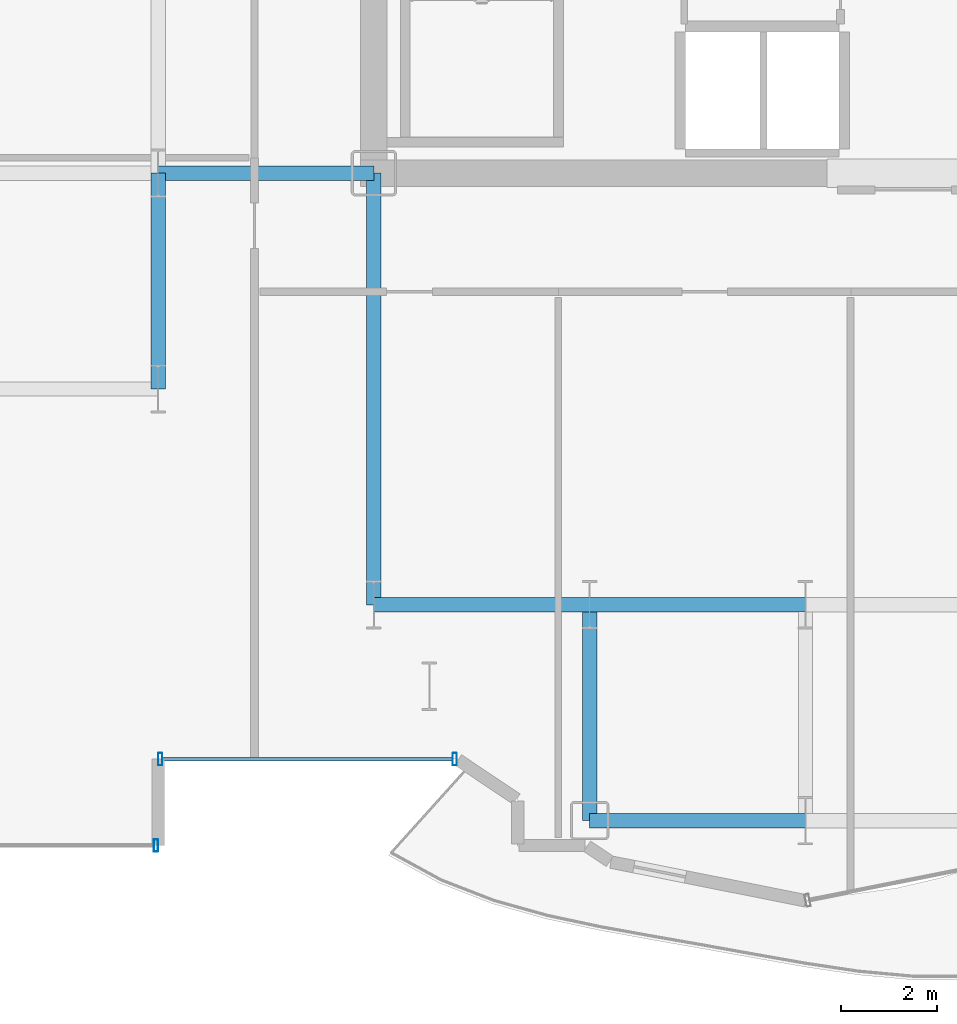
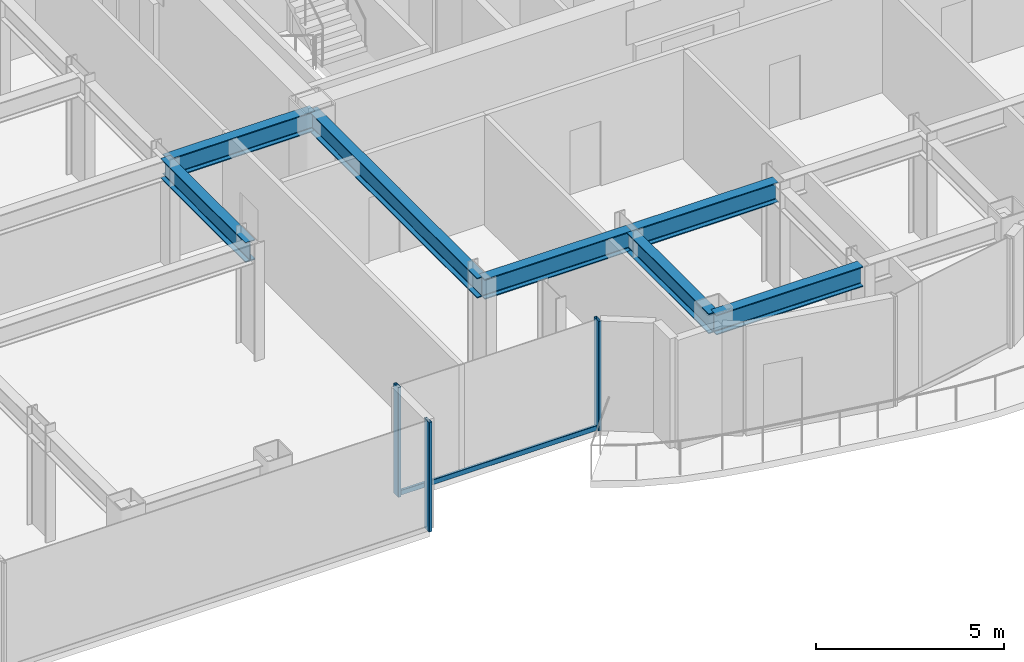
# One storey, part 4 of 29: 7 beams, 4 members, 2 elements without a shape of their own.
"""IFC4 building model written with IfcOpenShell, lengths in metres."""

import ifcopenshell
import ifcopenshell.guid

model = None  # the IFC model being written
_history = None  # IfcOwnerHistory: only IFC2X3 demands one
_inside = {}  # id of a spatial element -> (the spatial element, [elements in it])
_under = {}  # id of a project, library or spatial element -> (it, [spatial elements below it])
_declared = {}  # id of a project -> (the project, [libraries it declares])
_typed = {}  # id of a type object -> (the type object, [elements of that type])
_made_of = {}  # id of a material, layer set ... -> (it, [elements and type objects made of it])


def new_model(schema):
    """Start an empty IFC model of exactly this schema.

    Asked for "IFC4X3", IfcOpenShell would pick the latest addendum, in which some entities
    have other attributes; the version numbers below select the first issue.
    IFC2X3 requires an IfcOwnerHistory on every rooted entity: one is made here for all.
    """
    global model, _history
    if schema == "IFC4X3":
        model = ifcopenshell.file(schema_version=(4, 3, 0, 0))
    else:
        model = ifcopenshell.file(schema=schema)
    _inside.clear()
    _under.clear()
    _declared.clear()
    _typed.clear()
    _made_of.clear()
    _history = None
    if model.schema == "IFC2X3":
        org = make("IfcOrganization", Name="unknown")
        user = make(
            "IfcPersonAndOrganization",
            ThePerson=make("IfcPerson", FamilyName="unknown"),
            TheOrganization=org,
        )
        app = make(
            "IfcApplication",
            ApplicationDeveloper=org,
            Version="unknown",
            ApplicationFullName="unknown",
            ApplicationIdentifier="unknown",
        )
        _history = make(
            "IfcOwnerHistory",
            OwningUser=user,
            OwningApplication=app,
            ChangeAction="ADDED",
            CreationDate=0,
        )
    return model


def make(cls, **values):
    """One entity of the class cls with the attributes given. An attribute that is None is left unset."""
    return model.create_entity(
        cls, **{name: value for name, value in values.items() if value is not None}
    )


def rooted(cls, **values):
    """An entity with a GlobalId (a new one), such as an element, a storey or a relation."""
    return make(cls, GlobalId=ifcopenshell.guid.new(), OwnerHistory=_history, **values)


def si_unit(unit_type, name, prefix=None):
    """IfcSIUnit, for example si_unit("LENGTHUNIT", "METRE", prefix="MILLI")."""
    return make("IfcSIUnit", UnitType=unit_type, Prefix=prefix, Name=name)


def assignment(units):
    """IfcUnitAssignment: the units of a project."""
    return None if units is None else make("IfcUnitAssignment", Units=units)


def point(xyz):
    """IfcCartesianPoint."""
    return None if xyz is None else make("IfcCartesianPoint", Coordinates=xyz)


def direction(xyz):
    """IfcDirection."""
    return None if xyz is None else make("IfcDirection", DirectionRatios=xyz)


def frame(location, z_axis=None, x_axis=None):
    """IfcAxis2Placement3D, a coordinate frame: its origin and axes. An axis left out is left unset."""
    return make(
        "IfcAxis2Placement3D",
        Location=point(location),
        Axis=direction(z_axis),
        RefDirection=direction(x_axis),
    )


def frame_2d(location, x_axis=None):
    """IfcAxis2Placement2D, a coordinate frame in the plane: its origin and x axis."""
    return make(
        "IfcAxis2Placement2D", Location=point(location), RefDirection=direction(x_axis)
    )


def origin():
    """The frame at (0, 0, 0) with its axes left unset."""
    return frame((0.0, 0.0, 0.0))


def origin_2d():
    """The frame at (0, 0) in the plane with its x axis left unset."""
    return frame_2d((0.0, 0.0))


def place(relative_to, where):
    """IfcLocalPlacement: puts the frame where relative to a parent placement (None: the world)."""
    return make(
        "IfcLocalPlacement", PlacementRelTo=relative_to, RelativePlacement=where
    )


def context(
    kind, dimensions, precision=None, world=None, true_north=None, identifier=None
):
    """IfcGeometricRepresentationContext, for example the 3D "Model" context."""
    return make(
        "IfcGeometricRepresentationContext",
        ContextIdentifier=identifier,
        ContextType=kind,
        CoordinateSpaceDimension=dimensions,
        Precision=precision,
        WorldCoordinateSystem=world,
        TrueNorth=true_north,
    )


def subcontext(parent, identifier, kind, view, scale=None):
    """IfcGeometricRepresentationSubContext, for example "Body" below "Model"."""
    return make(
        "IfcGeometricRepresentationSubContext",
        ContextIdentifier=identifier,
        ContextType=kind,
        ParentContext=parent,
        TargetScale=scale,
        TargetView=view,
    )


def project(units=None, contexts=None):
    """IfcProject with its units and contexts."""
    return rooted(
        "IfcProject",
        Name="project",
        RepresentationContexts=contexts,
        UnitsInContext=assignment(units),
    )


def spatial(cls, under=None, at=None, **own):
    """A site, building, storey or space (cls), placed at a placement, below another one or the project."""
    s = rooted(cls, ObjectPlacement=at, **own)
    if under is not None:
        _under.setdefault(under.id(), (under, []))[1].append(s)
    return s


def profile(cls, at=None, kind="AREA", **sizes):
    """A parametric profile (cls). Its sizes go by their IFC names, for example OverallWidth=200.0."""
    return make(cls, ProfileType=kind, Position=at, **sizes)


def hollow_rectangle(**sizes):
    """IfcRectangleHollowProfileDef."""
    return profile("IfcRectangleHollowProfileDef", **sizes)


def i_section(**sizes):
    """IfcIShapeProfileDef."""
    return profile("IfcIShapeProfileDef", **sizes)


def extrude(swept, where, along, depth):
    """IfcExtrudedAreaSolid: the profile swept, set in the frame where, extruded along a direction by depth."""
    return make(
        "IfcExtrudedAreaSolid",
        SweptArea=swept,
        Position=where,
        ExtrudedDirection=direction(along),
        Depth=depth,
    )


def shape(context_of_items, identifier, shape_type, items):
    """IfcShapeRepresentation: the items that make up one representation, for example the "Body"."""
    return make(
        "IfcShapeRepresentation",
        ContextOfItems=context_of_items,
        RepresentationIdentifier=identifier,
        RepresentationType=shape_type,
        Items=items,
    )


def source(mapping_origin, context_of_items, identifier, shape_type, items):
    """IfcRepresentationMap: a shape defined once, which mapped items show again and again."""
    return make(
        "IfcRepresentationMap",
        MappingOrigin=mapping_origin,
        MappedRepresentation=shape(context_of_items, identifier, shape_type, items),
    )


def transform(
    local_origin,
    x_axis=None,
    y_axis=None,
    z_axis=None,
    scale=None,
    scale2=None,
    scale3=None,
    uniform=True,
):
    """IfcCartesianTransformationOperator3D, or its non-uniform kind. x_axis, y_axis, z_axis: its Axis1, 2, 3."""
    if uniform:
        return make(
            "IfcCartesianTransformationOperator3D",
            Axis1=direction(x_axis),
            Axis2=direction(y_axis),
            LocalOrigin=point(local_origin),
            Scale=scale,
            Axis3=direction(z_axis),
        )
    return make(
        "IfcCartesianTransformationOperator3DnonUniform",
        Axis1=direction(x_axis),
        Axis2=direction(y_axis),
        LocalOrigin=point(local_origin),
        Scale=scale,
        Axis3=direction(z_axis),
        Scale2=scale2,
        Scale3=scale3,
    )


def mapped(mapping_source, mapping_target):
    """IfcMappedItem: shows the shape of a source again, moved by a transform."""
    return make(
        "IfcMappedItem", MappingSource=mapping_source, MappingTarget=mapping_target
    )


def material(Name=None, Category=None):
    """IfcMaterial."""
    return make("IfcMaterial", Name=Name, Category=Category)


def layer(
    of_material, thickness, ventilated=None, Name=None, Category=None, Priority=None
):
    """IfcMaterialLayer: one layer of a wall or slab, of a material (None: an air gap)."""
    return make(
        "IfcMaterialLayer",
        Material=of_material,
        LayerThickness=thickness,
        IsVentilated=ventilated,
        Name=Name,
        Category=Category,
        Priority=Priority,
    )


def layer_set(layers, Name=None):
    """IfcMaterialLayerSet."""
    return make("IfcMaterialLayerSet", MaterialLayers=layers, LayerSetName=Name)


def material_profile(
    of_material, cross_section, Name=None, Category=None, Priority=None
):
    """IfcMaterialProfile: a cross section and its material."""
    return make(
        "IfcMaterialProfile",
        Name=Name,
        Material=of_material,
        Profile=cross_section,
        Priority=Priority,
        Category=Category,
    )


def profile_set(profiles, Name=None, composite=None):
    """IfcMaterialProfileSet."""
    return make(
        "IfcMaterialProfileSet",
        Name=Name,
        MaterialProfiles=profiles,
        CompositeProfile=composite,
    )


def made_of(thing, what):
    """Note that an element or type object is made of a material, layer set ...; save() writes the relation."""
    if what is not None:
        _made_of.setdefault(what.id(), (what, []))[1].append(thing)
    return thing


def type_object(cls, material=None, **own):
    """A type object (cls), such as IfcWallType, which elements share."""
    return made_of(rooted(cls, **own), material)


def element(
    cls,
    number,
    at=None,
    inside=None,
    cuts=None,
    type_object=None,
    material=None,
    context=None,
    identifier="Body",
    shape_type=None,
    held_by="IfcProductDefinitionShape",
    body=None,
    shapes=None,
    **own,
):
    """One element of the class cls, such as IfcWall. Its Tag is "e" and its number.

    at: its placement. inside: the storey or other place that contains it. cuts: it is an
    opening in that element (IfcRelVoidsElement). A single representation is given by context,
    identifier, shape_type and body (its items); several are given by shapes. held_by: the class
    of the entity that holds the representations. save() writes the other relations.
    """
    e = rooted(cls, Tag="e%d" % number, ObjectPlacement=at, **own)
    if body is not None:
        shapes = [shape(context, identifier, shape_type, body)]
    if shapes is not None:
        e.Representation = make(held_by, Representations=shapes)
    if inside is not None:
        _inside.setdefault(inside.id(), (inside, []))[1].append(e)
    if cuts is not None:
        rooted(
            "IfcRelVoidsElement", RelatingBuildingElement=cuts, RelatedOpeningElement=e
        )
    if type_object is not None:
        _typed.setdefault(type_object.id(), (type_object, []))[1].append(e)
    return made_of(e, material)


def aggregate(whole, parts):
    """IfcRelAggregates: a whole, such as a stair, and the parts it consists of."""
    return rooted("IfcRelAggregates", RelatingObject=whole, RelatedObjects=parts)


def save(model, path):
    """Write the relations noted so far, then the file.

    IfcRelAggregates (storeys below a building ...), IfcRelContainedInSpatialStructure (elements
    in a storey), IfcRelDefinesByType, IfcRelAssociatesMaterial and IfcRelDeclares: one each for
    every whole, place, type object, material and project.
    """
    for whole, parts in _under.values():
        aggregate(whole, parts)
    for where, things in _inside.values():
        rooted(
            "IfcRelContainedInSpatialStructure",
            RelatedElements=things,
            RelatingStructure=where,
        )
    for kind, things in _typed.values():
        rooted("IfcRelDefinesByType", RelatedObjects=things, RelatingType=kind)
    for what, things in _made_of.values():
        rooted("IfcRelAssociatesMaterial", RelatedObjects=things, RelatingMaterial=what)
    for by, libraries in _declared.values():
        rooted("IfcRelDeclares", RelatingContext=by, RelatedDefinitions=libraries)
    model.write(path)


model = new_model("IFC4")

# Units and contexts
model_context = context("Model", 3, precision=1e-05, world=origin(), true_north=direction((0.0, 1.0)))
body_context = subcontext(model_context, "Body", "Model", "MODEL_VIEW")
ifc_project = project(units=[si_unit("LENGTHUNIT", "METRE"), si_unit("AREAUNIT", "SQUARE_METRE"), si_unit("VOLUMEUNIT", "CUBIC_METRE"), si_unit("PLANEANGLEUNIT", "RADIAN"), si_unit("MASSUNIT", "GRAM", prefix="KILO")], contexts=[model_context])

# Site, building, storey
site_placement = place(None, origin())
site = spatial("IfcSite", under=ifc_project, at=site_placement, CompositionType="ELEMENT")
building_placement = place(site_placement, origin())
building = spatial("IfcBuilding", under=site, at=building_placement, Name="Nefas-Gora Pilgrimage Tower", CompositionType="ELEMENT")
storey_placement = place(building_placement, frame((0.0, 0.0, 125.0)))
storey = spatial("IfcBuildingStorey", under=building, at=storey_placement, Name="L30", CompositionType="ELEMENT", Elevation=125.0)

# Beams
ifc_material_1 = material(Name="Steel S355", Category="steel")
ifc_material_profile_1 = material_profile(ifc_material_1, i_section(OverallWidth=0.300048828125, OverallDepth=0.64990234375, WebThickness=0.01611328125, FlangeThickness=0.031005859375, FilletRadius=0.027099609375, at=origin_2d()), Name="HEB 650")
ifc_profile_set_1 = profile_set([ifc_material_profile_1], Name="Steel S355")
beam_type = type_object("IfcBeamType", Name="BM-GIR-HEB650", PredefinedType="BEAM", material=ifc_profile_set_1)
shared_shape_1 = source(origin(), body_context, "Body", "SweptSolid", [
    extrude(i_section(OverallWidth=0.300048828125, OverallDepth=0.64990234375, WebThickness=0.01611328125, FlangeThickness=0.031005859375, FilletRadius=0.027099609375, at=origin_2d()), origin(), (0.0, 0.0, 1.0), 9.0),
])
beam_placement = place(storey_placement, frame((-11.25, -18.0, 3.22509765625), z_axis=(0.0, 1.0, 0.0), x_axis=(-1.0, 0.0, 0.0)))
element("IfcBeam", 1, at=beam_placement, inside=storey, type_object=beam_type, Name="L30 G-03 beam", PredefinedType="BEAM", context=body_context, shape_type="MappedRepresentation", body=[
    mapped(shared_shape_1, transform((0.0, 0.0, 0.0), x_axis=(1.0, 0.0, 0.0), y_axis=(0.0, 1.0, 0.0), z_axis=(0.0, 0.0, 1.0), scale=1.0)),
])
shared_shape_2 = source(origin(), body_context, "Body", "SweptSolid", [
    extrude(i_section(OverallWidth=0.300048828125, OverallDepth=0.64990234375, WebThickness=0.01611328125, FlangeThickness=0.031005859375, FilletRadius=0.027099609375, at=origin_2d()), origin(), (0.0, 0.0, 1.0), 4.5),
])
for number, where, z_axis, x_axis, name in (
    (2, (-15.75, -13.5, 3.22509765625), (0.0, 1.0, 0.0), (-1.0, 0.0, 0.0), "L30 G-03 beam"),
    (3, (-15.75, -9.0, 3.22509765625), (1.0, 0.0, 0.0), (0.0, 1.0, 0.0), "L30 G-03 beam"),
    (4, (-11.25, -18.0, 3.22509765625), (1.0, 0.0, 0.0), (0.0, 1.0, 0.0), "L30 G-03 beam"),
    (5, (-6.75, -22.5, 3.22509765625), (0.0, 1.0, 0.0), (-1.0, 0.0, 0.0), "L30 G-03 beam"),
    (6, (-6.75, -22.5, 3.22509765625), (1.0, 0.0, 0.0), (0.0, 1.0, 0.0), "L30 G-03 beam"),
    (7, (-6.75, -18.0, 3.22509765625), (1.0, 0.0, 0.0), (0.0, 1.0, 0.0), "L30 G-03 beam"),
):
    element("IfcBeam", number, at=place(storey_placement, frame(where, z_axis=z_axis, x_axis=x_axis)), inside=storey, type_object=beam_type, Name=name, PredefinedType="BEAM", context=body_context, shape_type="MappedRepresentation", body=[
        mapped(shared_shape_2, transform((0.0, 0.0, 0.0), x_axis=(1.0, 0.0, 0.0), y_axis=(0.0, 1.0, 0.0), z_axis=(0.0, 0.0, 1.0), scale=1.0)),
    ])

# Curtain wall, members
ifc_material_2 = material(Name="Dark ceramic-fritted solar-control aluminium-glass curtain wall", Category="aluminium")
ifc_layer_1 = layer(ifc_material_2, 0.219970703125)
ifc_layer_set_1 = layer_set([ifc_layer_1], Name="Dark ceramic-fritted solar-control aluminium-glass curtain wall")
curtain_wall_type_1 = type_object("IfcCurtainWallType", Name="CW-SYS-5", PredefinedType="NOTDEFINED", material=ifc_layer_set_1)
curtain_wall_1_placement = place(storey_placement, origin())
curtain_wall_1 = element("IfcCurtainWall", 8, at=curtain_wall_1_placement, inside=storey, type_object=curtain_wall_type_1, Name="L30 Unitised Curtain Wall CW5", PredefinedType="NOTDEFINED")
ifc_material_3 = material(Name="Anodised architectural aluminium", Category="aluminium")
ifc_material_profile_2 = material_profile(ifc_material_3, hollow_rectangle(XDim=0.090087890625, YDim=0.260009765625, WallThickness=0.006103515625, InnerFilletRadius=0.006103515625, OuterFilletRadius=0.011962890625, at=origin_2d()), Name="ALU MULLION 90x260")
ifc_profile_set_2 = profile_set([ifc_material_profile_2], Name="Anodised architectural aluminium")
member_type_1 = type_object("IfcMemberType", Name="CWM-MUL-5", PredefinedType="MULLION", material=ifc_profile_set_2)
shared_shape_3 = source(origin(), body_context, "Body", "SweptSolid", [
    extrude(hollow_rectangle(XDim=0.090087890625, YDim=0.260009765625, WallThickness=0.006103515625, InnerFilletRadius=0.006103515625, OuterFilletRadius=0.011962890625, at=origin_2d()), origin(), (0.0, 0.0, 1.0), 3.550048828125),
])
member_1_placement = place(storey_placement, frame((-15.705078125, -21.219970703125, 0.0), z_axis=(0.0, 0.0, 1.0), x_axis=(1.0, 0.0, 0.0)))
member_1 = element("IfcMember", 9, at=member_1_placement, type_object=member_type_1, Name="CW5 Mullion 1", PredefinedType="MULLION", context=body_context, shape_type="MappedRepresentation", body=[
    mapped(shared_shape_3, transform((0.0, 0.0, 0.0), x_axis=(1.0, 0.0, 0.0), y_axis=(0.0, 1.0, 0.0), z_axis=(0.0, 0.0, 1.0), scale=1.0)),
])
member_2_placement = place(storey_placement, frame((-9.56298828125, -21.219970703125, 0.0), z_axis=(0.0, 0.0, 1.0), x_axis=(1.0, 0.0, 0.0)))
member_2 = element("IfcMember", 10, at=member_2_placement, type_object=member_type_1, Name="CW5 Mullion 2", PredefinedType="MULLION", context=body_context, shape_type="MappedRepresentation", body=[
    mapped(shared_shape_3, transform((0.0, 0.0, 0.0), x_axis=(1.0, 0.0, 0.0), y_axis=(0.0, 1.0, 0.0), z_axis=(0.0, 0.0, 1.0), scale=1.0)),
])
ifc_material_profile_3 = material_profile(ifc_material_3, hollow_rectangle(XDim=0.080078125, YDim=0.159912109375, WallThickness=0.00439453125, InnerFilletRadius=0.00439453125, OuterFilletRadius=0.009033203125, at=origin_2d()), Name="ALU TRANSOM 80x160")
ifc_profile_set_3 = profile_set([ifc_material_profile_3], Name="Anodised architectural aluminium")
member_type_2 = type_object("IfcMemberType", Name="CWM-TRN-5", PredefinedType="USERDEFINED", material=ifc_profile_set_3)
shared_shape_4 = source(origin(), body_context, "Body", "SweptSolid", [
    extrude(hollow_rectangle(XDim=0.080078125, YDim=0.159912109375, WallThickness=0.00439453125, InnerFilletRadius=0.00439453125, OuterFilletRadius=0.009033203125, at=origin_2d()), origin(), (0.0, 0.0, 1.0), 6.052001953125),
])
member_3_placement = place(storey_placement, frame((-15.659912109375, -21.219970703125, 0.050048828125), z_axis=(1.0, 0.0, 0.0), x_axis=(0.0, 1.0, 0.0)))
member_3 = element("IfcMember", 11, at=member_3_placement, type_object=member_type_2, Name="CW5 Spandrel Transom", ObjectType="TRANSOM", PredefinedType="USERDEFINED", context=body_context, shape_type="MappedRepresentation", body=[
    mapped(shared_shape_4, transform((0.0, 0.0, 0.0), x_axis=(1.0, 0.0, 0.0), y_axis=(0.0, 1.0, 0.0), z_axis=(0.0, 0.0, 1.0), scale=1.0)),
])
aggregate(curtain_wall_1, [member_1, member_2, member_3])

# Curtain wall, member
ifc_layer_2 = layer(ifc_material_2, 0.219970703125)
ifc_layer_set_2 = layer_set([ifc_layer_2], Name="Dark ceramic-fritted solar-control aluminium-glass curtain wall")
curtain_wall_type_2 = type_object("IfcCurtainWallType", Name="CW-SYS-2", PredefinedType="NOTDEFINED", material=ifc_layer_set_2)
curtain_wall_2_placement = place(storey_placement, origin())
curtain_wall_2 = element("IfcCurtainWall", 12, at=curtain_wall_2_placement, inside=storey, type_object=curtain_wall_type_2, Name="L30 Unitised Curtain Wall CW2", PredefinedType="NOTDEFINED")
ifc_material_profile_4 = material_profile(ifc_material_3, hollow_rectangle(XDim=0.090087890625, YDim=0.260009765625, WallThickness=0.006103515625, InnerFilletRadius=0.006103515625, OuterFilletRadius=0.011962890625, at=origin_2d()), Name="ALU MULLION 90x260")
ifc_profile_set_4 = profile_set([ifc_material_profile_4], Name="Anodised architectural aluminium")
member_type_3 = type_object("IfcMemberType", Name="CWM-MUL-2", PredefinedType="MULLION", material=ifc_profile_set_4)
shared_shape_5 = source(origin(), body_context, "Body", "SweptSolid", [
    extrude(hollow_rectangle(XDim=0.090087890625, YDim=0.260009765625, WallThickness=0.006103515625, InnerFilletRadius=0.006103515625, OuterFilletRadius=0.011962890625, at=origin_2d()), origin(), (0.0, 0.0, 1.0), 3.550048828125),
])
member_4_placement = place(storey_placement, frame((-15.794921875, -23.02001953125, 0.0), z_axis=(0.0, 0.0, 1.0), x_axis=(1.0, 0.0, 0.0)))
member_4 = element("IfcMember", 13, at=member_4_placement, type_object=member_type_3, Name="CW2 Mullion 2", PredefinedType="MULLION", context=body_context, shape_type="MappedRepresentation", body=[
    mapped(shared_shape_5, transform((0.0, 0.0, 0.0), x_axis=(1.0, 0.0, 0.0), y_axis=(0.0, 1.0, 0.0), z_axis=(0.0, 0.0, 1.0), scale=1.0)),
])
aggregate(curtain_wall_2, [member_4])

save(model, "model.ifc")
